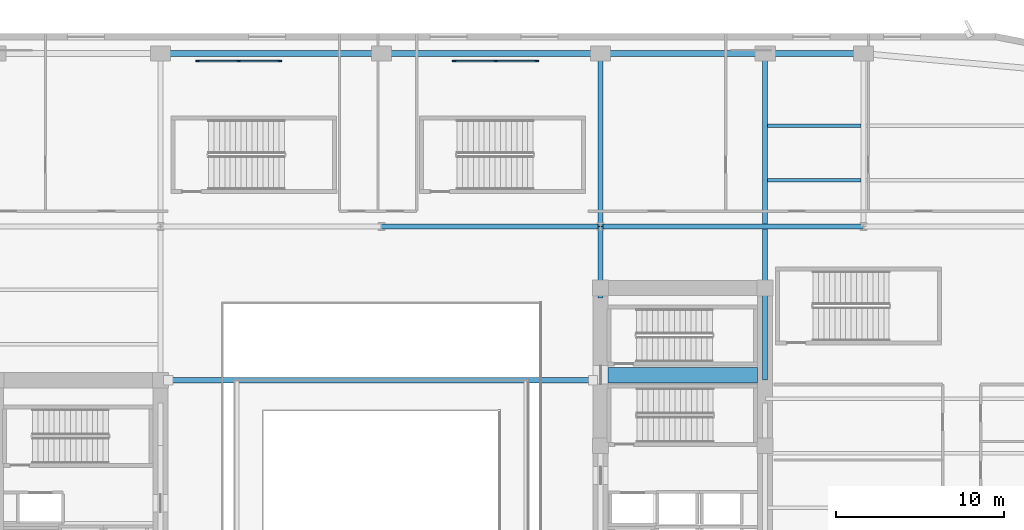
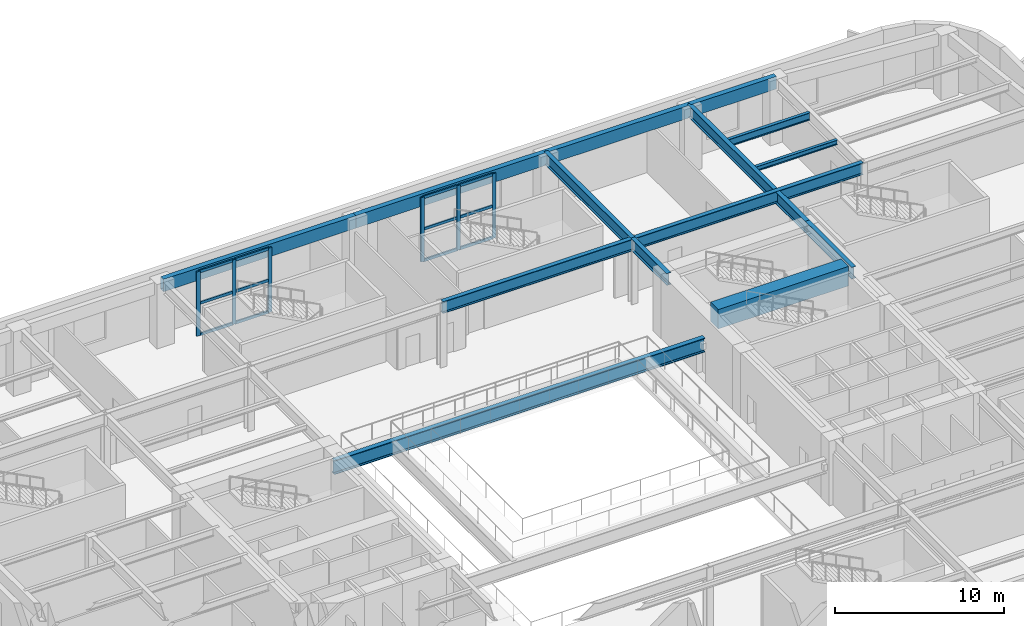
# One storey, part 3 of 21: 18 members, 15 beams, 2 elements without a shape of their own.
"""IFC4 building model written with IfcOpenShell, lengths in metres."""

from ifc_helpers import new_model, si_unit, direction, frame, origin, origin_2d, place, context, subcontext, project, spatial, rectangle, hollow_rectangle, i_section, extrude, material, material_profile, profile_set, type_object, element, aggregate, save


model = new_model("IFC4")

# Units and contexts
model_context = context("Model", 3, precision=1e-05, world=origin(), true_north=direction((0.0, 1.0)))
body_context = subcontext(model_context, "Body", "Model", "MODEL_VIEW")
ifc_project = project(units=[si_unit("LENGTHUNIT", "METRE"), si_unit("AREAUNIT", "SQUARE_METRE"), si_unit("VOLUMEUNIT", "CUBIC_METRE"), si_unit("PLANEANGLEUNIT", "RADIAN"), si_unit("MASSUNIT", "GRAM", prefix="KILO")], contexts=[model_context])

# Site, building, storey
site_placement = place(None, origin())
site = spatial("IfcSite", under=ifc_project, at=site_placement, CompositionType="ELEMENT")
building_placement = place(site_placement, origin())
building = spatial("IfcBuilding", under=site, at=building_placement, Name="Kolvaren Arena Tower", CompositionType="ELEMENT")
storey_placement = place(building_placement, frame((0.0, 0.0, 18.0)))
storey = spatial("IfcBuildingStorey", under=building, at=storey_placement, Name="L03", CompositionType="ELEMENT", Elevation=18.0)

# Beams
ifc_material_1 = material(Name="Steel CSA G40.21 350W", Category="steel")
ifc_material_profile_1 = material_profile(ifc_material_1, i_section(OverallWidth=0.2119140625, OverallDepth=0.54296875, WebThickness=0.01318359375, FlangeThickness=0.0244140625, FilletRadius=0.013916015625, at=origin_2d()), Name="W530x150")
ifc_profile_set_1 = profile_set([ifc_material_profile_1], Name="Steel CSA G40.21 350W")
beam_type_1 = type_object("IfcBeamType", Name="BEAM-F1", PredefinedType="BEAM", material=ifc_profile_set_1)
beam_1_placement = place(storey_placement, frame((60.49609375, 49.0, 4.37841796875), z_axis=(1.0, 0.0, 0.0), x_axis=(0.0, 1.0, 0.0)))
element("IfcBeam", 1, at=beam_1_placement, inside=storey, type_object=beam_type_1, Name="Composite Floor Beam (L03)", PredefinedType="BEAM", context=body_context, shape_type="SweptSolid", body=[
    extrude(i_section(OverallWidth=0.2119140625, OverallDepth=0.54296875, WebThickness=0.01318359375, FlangeThickness=0.0244140625, FilletRadius=0.013916015625, at=origin_2d()), origin(), (0.0, 0.0, 1.0), 5.557861328125),
])
ifc_material_2 = material(Name="Concrete 75 MPa", Category="concrete")
ifc_material_profile_2 = material_profile(ifc_material_2, rectangle(XDim=0.89990234375, YDim=1.39990234375, at=origin_2d()), Name="RC-900x1400")
ifc_profile_set_2 = profile_set([ifc_material_profile_2], Name="Concrete 75 MPa")
beam_type_2 = type_object("IfcBeamType", Name="CB-CORE-1", PredefinedType="BEAM", material=ifc_profile_set_2)
beam_2_placement = place(storey_placement, frame((51.0, 34.14990234375, 4.219970703125), z_axis=(1.0, 0.0, 0.0), x_axis=(0.0, 1.0, 0.0)))
element("IfcBeam", 2, at=beam_2_placement, inside=storey, type_object=beam_type_2, Name="East Core Coupling Beam (L03)", PredefinedType="BEAM", context=body_context, shape_type="SweptSolid", body=[
    extrude(rectangle(XDim=0.89990234375, YDim=1.39990234375, at=origin_2d()), origin(), (0.0, 0.0, 1.0), 8.89990234375),
])

# Curtain wall, members
ifc_material_3 = material(Name="Anodised aluminium unitised curtain wall", Category="aluminium")
curtain_wall_type = type_object("IfcCurtainWallType", Name="CW-SYS-02", PredefinedType="USERDEFINED", material=ifc_material_3)
curtain_wall_1_placement = place(storey_placement, origin())
curtain_wall_1 = element("IfcCurtainWall", 3, at=curtain_wall_1_placement, inside=storey, type_object=curtain_wall_type, Name="Arena Concourse Grand Portal Curtain Wall (L03)", ObjectType="UNITISED CURTAIN WALL", PredefinedType="USERDEFINED")
ifc_material_4 = material(Name="Anodised aluminium 6063-T6", Category="aluminium")
ifc_material_profile_3 = material_profile(ifc_material_4, rectangle(XDim=0.10009765625, YDim=0.239990234375, at=origin_2d()), Name="ALU-100x240")
ifc_profile_set_3 = profile_set([ifc_material_profile_3], Name="Anodised aluminium 6063-T6")
member_type_1 = type_object("IfcMemberType", Name="CWM-HVY", PredefinedType="MULLION", material=ifc_profile_set_3)
member_1_placement = place(storey_placement, frame((26.550048828125, 52.85009765625, 0.0), z_axis=(0.0, 0.0, 1.0), x_axis=(0.0, 1.0, 0.0)))
member_1 = element("IfcMember", 4, at=member_1_placement, type_object=member_type_1, Name="CW2 mullion 1", PredefinedType="MULLION", context=body_context, shape_type="SweptSolid", body=[
    extrude(rectangle(XDim=0.10009765625, YDim=0.239990234375, at=origin_2d()), origin(), (0.0, 0.0, 1.0), 4.64990234375),
])
member_2_placement = place(storey_placement, frame((29.0, 52.85009765625, 0.0), z_axis=(0.0, 0.0, 1.0), x_axis=(0.0, 1.0, 0.0)))
member_2 = element("IfcMember", 5, at=member_2_placement, type_object=member_type_1, Name="CW2 mullion 2", PredefinedType="MULLION", context=body_context, shape_type="SweptSolid", body=[
    extrude(rectangle(XDim=0.10009765625, YDim=0.239990234375, at=origin_2d()), origin(), (0.0, 0.0, 1.0), 4.64990234375),
])
member_3_placement = place(storey_placement, frame((31.449951171875, 52.85009765625, 0.0), z_axis=(0.0, 0.0, 1.0), x_axis=(0.0, 1.0, 0.0)))
member_3 = element("IfcMember", 6, at=member_3_placement, type_object=member_type_1, Name="CW2 mullion 3", PredefinedType="MULLION", context=body_context, shape_type="SweptSolid", body=[
    extrude(rectangle(XDim=0.10009765625, YDim=0.239990234375, at=origin_2d()), origin(), (0.0, 0.0, 1.0), 4.64990234375),
])

curtain_wall_2_placement = place(storey_placement, origin())
curtain_wall_2 = element("IfcCurtainWall", 7, at=curtain_wall_2_placement, inside=storey, type_object=curtain_wall_type, Name="Arena Concourse Grand Portal Curtain Wall (L03)", ObjectType="UNITISED CURTAIN WALL", PredefinedType="USERDEFINED")
member_4_placement = place(storey_placement, frame((41.85009765625, 52.85009765625, 0.0), z_axis=(0.0, 0.0, 1.0), x_axis=(0.0, 1.0, 0.0)))
member_4 = element("IfcMember", 8, at=member_4_placement, type_object=member_type_1, Name="CW2 mullion 1", PredefinedType="MULLION", context=body_context, shape_type="SweptSolid", body=[
    extrude(rectangle(XDim=0.10009765625, YDim=0.239990234375, at=origin_2d()), origin(), (0.0, 0.0, 1.0), 4.64990234375),
])
member_5_placement = place(storey_placement, frame((44.300048828125, 52.85009765625, 0.0), z_axis=(0.0, 0.0, 1.0), x_axis=(0.0, 1.0, 0.0)))
member_5 = element("IfcMember", 9, at=member_5_placement, type_object=member_type_1, Name="CW2 mullion 2", PredefinedType="MULLION", context=body_context, shape_type="SweptSolid", body=[
    extrude(rectangle(XDim=0.10009765625, YDim=0.239990234375, at=origin_2d()), origin(), (0.0, 0.0, 1.0), 4.64990234375),
])
member_6_placement = place(storey_placement, frame((46.75, 52.85009765625, 0.0), z_axis=(0.0, 0.0, 1.0), x_axis=(0.0, 1.0, 0.0)))
member_6 = element("IfcMember", 10, at=member_6_placement, type_object=member_type_1, Name="CW2 mullion 3", PredefinedType="MULLION", context=body_context, shape_type="SweptSolid", body=[
    extrude(rectangle(XDim=0.10009765625, YDim=0.239990234375, at=origin_2d()), origin(), (0.0, 0.0, 1.0), 4.64990234375),
])

# Member
ifc_material_profile_4 = material_profile(ifc_material_4, rectangle(XDim=0.10009765625, YDim=0.199951171875, at=origin_2d()), Name="ALU-100x200")
ifc_profile_set_4 = profile_set([ifc_material_profile_4], Name="Anodised aluminium 6063-T6")
member_type_2 = type_object("IfcMemberType", Name="CWT-HVY", PredefinedType="USERDEFINED", material=ifc_profile_set_4)
member_7_placement = place(storey_placement, frame((26.60009765625, 52.85009765625, 0.050048828125), z_axis=(1.0, 0.0, 0.0), x_axis=(0.0, 1.0, 0.0)))
member_7 = element("IfcMember", 11, at=member_7_placement, type_object=member_type_2, Name="CW2 transom 1.1", ObjectType="TRANSOM", PredefinedType="USERDEFINED", context=body_context, shape_type="SweptSolid", body=[
    extrude(rectangle(XDim=0.10009765625, YDim=0.199951171875, at=origin_2d()), origin(), (0.0, 0.0, 1.0), 2.349853515625),
])

member_8_placement = place(storey_placement, frame((26.60009765625, 52.85009765625, 2.324951171875), z_axis=(1.0, 0.0, 0.0), x_axis=(0.0, 1.0, 0.0)))
member_8 = element("IfcMember", 12, at=member_8_placement, type_object=member_type_2, Name="CW2 transom 1.2", ObjectType="TRANSOM", PredefinedType="USERDEFINED", context=body_context, shape_type="SweptSolid", body=[
    extrude(rectangle(XDim=0.10009765625, YDim=0.199951171875, at=origin_2d()), origin(), (0.0, 0.0, 1.0), 2.349853515625),
])

member_9_placement = place(storey_placement, frame((26.60009765625, 52.85009765625, 4.60009765625), z_axis=(1.0, 0.0, 0.0), x_axis=(0.0, 1.0, 0.0)))
member_9 = element("IfcMember", 13, at=member_9_placement, type_object=member_type_2, Name="CW2 transom 1.3", ObjectType="TRANSOM", PredefinedType="USERDEFINED", context=body_context, shape_type="SweptSolid", body=[
    extrude(rectangle(XDim=0.10009765625, YDim=0.199951171875, at=origin_2d()), origin(), (0.0, 0.0, 1.0), 2.349853515625),
])

member_10_placement = place(storey_placement, frame((29.050048828125, 52.85009765625, 0.050048828125), z_axis=(1.0, 0.0, 0.0), x_axis=(0.0, 1.0, 0.0)))
member_10 = element("IfcMember", 14, at=member_10_placement, type_object=member_type_2, Name="CW2 transom 2.1", ObjectType="TRANSOM", PredefinedType="USERDEFINED", context=body_context, shape_type="SweptSolid", body=[
    extrude(rectangle(XDim=0.10009765625, YDim=0.199951171875, at=origin_2d()), origin(), (0.0, 0.0, 1.0), 2.349853515625),
])

member_11_placement = place(storey_placement, frame((29.050048828125, 52.85009765625, 2.324951171875), z_axis=(1.0, 0.0, 0.0), x_axis=(0.0, 1.0, 0.0)))
member_11 = element("IfcMember", 15, at=member_11_placement, type_object=member_type_2, Name="CW2 transom 2.2", ObjectType="TRANSOM", PredefinedType="USERDEFINED", context=body_context, shape_type="SweptSolid", body=[
    extrude(rectangle(XDim=0.10009765625, YDim=0.199951171875, at=origin_2d()), origin(), (0.0, 0.0, 1.0), 2.349853515625),
])

member_12_placement = place(storey_placement, frame((29.050048828125, 52.85009765625, 4.60009765625), z_axis=(1.0, 0.0, 0.0), x_axis=(0.0, 1.0, 0.0)))
member_12 = element("IfcMember", 16, at=member_12_placement, type_object=member_type_2, Name="CW2 transom 2.3", ObjectType="TRANSOM", PredefinedType="USERDEFINED", context=body_context, shape_type="SweptSolid", body=[
    extrude(rectangle(XDim=0.10009765625, YDim=0.199951171875, at=origin_2d()), origin(), (0.0, 0.0, 1.0), 2.349853515625),
])

aggregate(curtain_wall_1, [member_1, member_2, member_3, member_7, member_8, member_9, member_10, member_11, member_12])

member_13_placement = place(storey_placement, frame((41.89990234375, 52.85009765625, 0.050048828125), z_axis=(1.0, 0.0, 0.0), x_axis=(0.0, 1.0, 0.0)))
member_13 = element("IfcMember", 17, at=member_13_placement, type_object=member_type_2, Name="CW2 transom 1.1", ObjectType="TRANSOM", PredefinedType="USERDEFINED", context=body_context, shape_type="SweptSolid", body=[
    extrude(rectangle(XDim=0.10009765625, YDim=0.199951171875, at=origin_2d()), origin(), (0.0, 0.0, 1.0), 2.35009765625),
])

member_14_placement = place(storey_placement, frame((41.89990234375, 52.85009765625, 2.324951171875), z_axis=(1.0, 0.0, 0.0), x_axis=(0.0, 1.0, 0.0)))
member_14 = element("IfcMember", 18, at=member_14_placement, type_object=member_type_2, Name="CW2 transom 1.2", ObjectType="TRANSOM", PredefinedType="USERDEFINED", context=body_context, shape_type="SweptSolid", body=[
    extrude(rectangle(XDim=0.10009765625, YDim=0.199951171875, at=origin_2d()), origin(), (0.0, 0.0, 1.0), 2.35009765625),
])

member_15_placement = place(storey_placement, frame((41.89990234375, 52.85009765625, 4.60009765625), z_axis=(1.0, 0.0, 0.0), x_axis=(0.0, 1.0, 0.0)))
member_15 = element("IfcMember", 19, at=member_15_placement, type_object=member_type_2, Name="CW2 transom 1.3", ObjectType="TRANSOM", PredefinedType="USERDEFINED", context=body_context, shape_type="SweptSolid", body=[
    extrude(rectangle(XDim=0.10009765625, YDim=0.199951171875, at=origin_2d()), origin(), (0.0, 0.0, 1.0), 2.35009765625),
])

member_16_placement = place(storey_placement, frame((44.35009765625, 52.85009765625, 0.050048828125), z_axis=(1.0, 0.0, 0.0), x_axis=(0.0, 1.0, 0.0)))
member_16 = element("IfcMember", 20, at=member_16_placement, type_object=member_type_2, Name="CW2 transom 2.1", ObjectType="TRANSOM", PredefinedType="USERDEFINED", context=body_context, shape_type="SweptSolid", body=[
    extrude(rectangle(XDim=0.10009765625, YDim=0.199951171875, at=origin_2d()), origin(), (0.0, 0.0, 1.0), 2.349853515625),
])

member_17_placement = place(storey_placement, frame((44.35009765625, 52.85009765625, 2.324951171875), z_axis=(1.0, 0.0, 0.0), x_axis=(0.0, 1.0, 0.0)))
member_17 = element("IfcMember", 21, at=member_17_placement, type_object=member_type_2, Name="CW2 transom 2.2", ObjectType="TRANSOM", PredefinedType="USERDEFINED", context=body_context, shape_type="SweptSolid", body=[
    extrude(rectangle(XDim=0.10009765625, YDim=0.199951171875, at=origin_2d()), origin(), (0.0, 0.0, 1.0), 2.349853515625),
])

member_18_placement = place(storey_placement, frame((44.35009765625, 52.85009765625, 4.60009765625), z_axis=(1.0, 0.0, 0.0), x_axis=(0.0, 1.0, 0.0)))
member_18 = element("IfcMember", 22, at=member_18_placement, type_object=member_type_2, Name="CW2 transom 2.3", ObjectType="TRANSOM", PredefinedType="USERDEFINED", context=body_context, shape_type="SweptSolid", body=[
    extrude(rectangle(XDim=0.10009765625, YDim=0.199951171875, at=origin_2d()), origin(), (0.0, 0.0, 1.0), 2.349853515625),
])

aggregate(curtain_wall_2, [member_4, member_5, member_6, member_13, member_14, member_15, member_16, member_17, member_18])

# Beams
ifc_material_profile_5 = material_profile(ifc_material_1, i_section(OverallWidth=0.2919921875, OverallDepth=0.85498046875, WebThickness=0.02099609375, FlangeThickness=0.03564453125, FilletRadius=0.01806640625, at=origin_2d()), Name="W840x299")
ifc_profile_set_5 = profile_set([ifc_material_profile_5], Name="Steel CSA G40.21 350W")
beam_type_3 = type_object("IfcBeamType", Name="GIRD-P1", PredefinedType="BEAM", material=ifc_profile_set_5)
beam_3_placement = place(storey_placement, frame((37.5, 43.0, 4.222412109375), z_axis=(1.0, 0.0, 0.0), x_axis=(0.0, 1.0, 0.0)))
element("IfcBeam", 23, at=beam_3_placement, inside=storey, type_object=beam_type_3, Name="Primary Floor Girder (L03)", PredefinedType="BEAM", context=body_context, shape_type="SweptSolid", body=[
    extrude(i_section(OverallWidth=0.2919921875, OverallDepth=0.85498046875, WebThickness=0.02099609375, FlangeThickness=0.03564453125, FilletRadius=0.01806640625, at=origin_2d()), origin(), (0.0, 0.0, 1.0), 13.050048828125),
])
beam_4_placement = place(storey_placement, frame((50.550048828125, 43.0, 4.222412109375), z_axis=(1.0, 0.0, 0.0), x_axis=(0.0, 1.0, 0.0)))
element("IfcBeam", 24, at=beam_4_placement, inside=storey, type_object=beam_type_3, Name="Primary Floor Girder (L03)", PredefinedType="BEAM", context=body_context, shape_type="SweptSolid", body=[
    extrude(i_section(OverallWidth=0.2919921875, OverallDepth=0.85498046875, WebThickness=0.02099609375, FlangeThickness=0.03564453125, FilletRadius=0.01806640625, at=origin_2d()), origin(), (0.0, 0.0, 1.0), 15.64990234375),
])
beam_5_placement = place(storey_placement, frame((50.550048828125, 38.760009765625, 4.222412109375), z_axis=(0.0, 1.0, 0.0), x_axis=(-1.0, 0.0, 0.0)))
element("IfcBeam", 25, at=beam_5_placement, inside=storey, type_object=beam_type_3, Name="Primary Floor Girder (L03)", PredefinedType="BEAM", context=body_context, shape_type="SweptSolid", body=[
    extrude(i_section(OverallWidth=0.2919921875, OverallDepth=0.85498046875, WebThickness=0.02099609375, FlangeThickness=0.03564453125, FilletRadius=0.01806640625, at=origin_2d()), origin(), (0.0, 0.0, 1.0), 4.239990234375),
])
beam_6_placement = place(storey_placement, frame((50.550048828125, 43.0, 4.222412109375), z_axis=(0.0, 1.0, 0.0), x_axis=(-1.0, 0.0, 0.0)))
element("IfcBeam", 26, at=beam_6_placement, inside=storey, type_object=beam_type_3, Name="Primary Floor Girder (L03)", PredefinedType="BEAM", context=body_context, shape_type="SweptSolid", body=[
    extrude(i_section(OverallWidth=0.2919921875, OverallDepth=0.85498046875, WebThickness=0.02099609375, FlangeThickness=0.03564453125, FilletRadius=0.01806640625, at=origin_2d()), origin(), (0.0, 0.0, 1.0), 10.300048828125),
])
beam_7_placement = place(storey_placement, frame((60.35009765625, 33.85009765625, 4.222412109375), z_axis=(0.0, 1.0, 0.0), x_axis=(-1.0, 0.0, 0.0)))
element("IfcBeam", 27, at=beam_7_placement, inside=storey, type_object=beam_type_3, Name="Primary Floor Girder (L03)", PredefinedType="BEAM", context=body_context, shape_type="SweptSolid", body=[
    extrude(i_section(OverallWidth=0.2919921875, OverallDepth=0.85498046875, WebThickness=0.02099609375, FlangeThickness=0.03564453125, FilletRadius=0.01806640625, at=origin_2d()), origin(), (0.0, 0.0, 1.0), 5.5),
])
beam_8_placement = place(storey_placement, frame((60.35009765625, 39.35009765625, 4.222412109375), z_axis=(0.0, 1.0, 0.0), x_axis=(-1.0, 0.0, 0.0)))
element("IfcBeam", 28, at=beam_8_placement, inside=storey, type_object=beam_type_3, Name="Primary Floor Girder (L03)", PredefinedType="BEAM", context=body_context, shape_type="SweptSolid", body=[
    extrude(i_section(OverallWidth=0.2919921875, OverallDepth=0.85498046875, WebThickness=0.02099609375, FlangeThickness=0.03564453125, FilletRadius=0.01806640625, at=origin_2d()), origin(), (0.0, 0.0, 1.0), 3.50390625),
])
beam_9_placement = place(storey_placement, frame((60.35009765625, 43.14599609375, 4.222412109375), z_axis=(0.0, 1.0, 0.0), x_axis=(-1.0, 0.0, 0.0)))
element("IfcBeam", 29, at=beam_9_placement, inside=storey, type_object=beam_type_3, Name="Primary Floor Girder (L03)", PredefinedType="BEAM", context=body_context, shape_type="SweptSolid", body=[
    extrude(i_section(OverallWidth=0.2919921875, OverallDepth=0.85498046875, WebThickness=0.02099609375, FlangeThickness=0.03564453125, FilletRadius=0.01806640625, at=origin_2d()), origin(), (0.0, 0.0, 1.0), 10.154052734375),
])
ifc_material_profile_6 = material_profile(ifc_material_1, i_section(OverallWidth=0.202880859375, OverallDepth=0.346923828125, WebThickness=0.0078125, FlangeThickness=0.013427734375, FilletRadius=0.010986328125, at=origin_2d()), Name="W360x64")
ifc_profile_set_6 = profile_set([ifc_material_profile_6], Name="Steel CSA G40.21 350W")
beam_type_4 = type_object("IfcBeamType", Name="JOIST-01", PredefinedType="JOIST", material=ifc_profile_set_6)
beam_10_placement = place(storey_placement, frame((60.49609375, 45.75, 4.4765625), z_axis=(1.0, 0.0, 0.0), x_axis=(0.0, 1.0, 0.0)))
element("IfcBeam", 30, at=beam_10_placement, inside=storey, type_object=beam_type_4, Name="Composite Floor Joist (L03)", PredefinedType="JOIST", context=body_context, shape_type="SweptSolid", body=[
    extrude(i_section(OverallWidth=0.202880859375, OverallDepth=0.346923828125, WebThickness=0.0078125, FlangeThickness=0.013427734375, FilletRadius=0.010986328125, at=origin_2d()), origin(), (0.0, 0.0, 1.0), 5.557861328125),
])
ifc_material_profile_7 = material_profile(ifc_material_1, i_section(OverallWidth=0.323974609375, OverallDepth=1.011962890625, WebThickness=0.02685546875, FlangeThickness=0.0458984375, FilletRadius=0.02197265625, at=origin_2d()), Name="W1000x443")
ifc_profile_set_7 = profile_set([ifc_material_profile_7], Name="Steel CSA G40.21 350W")
beam_type_5 = type_object("IfcBeamType", Name="RAKER-01", PredefinedType="USERDEFINED", material=ifc_profile_set_7)
beam_11_placement = place(storey_placement, frame((24.800048828125, 33.85009765625, 2.68408203125), z_axis=(1.0, 0.0, 0.0), x_axis=(0.0, 1.0, 0.0)))
element("IfcBeam", 31, at=beam_11_placement, inside=storey, type_object=beam_type_5, Name="Arena Bowl Raker Girder (L03 N)", ObjectType="RAKER GIRDER", PredefinedType="USERDEFINED", context=body_context, shape_type="SweptSolid", body=[
    extrude(i_section(OverallWidth=0.323974609375, OverallDepth=1.011962890625, WebThickness=0.02685546875, FlangeThickness=0.0458984375, FilletRadius=0.02197265625, at=origin_2d()), origin(), (0.0, 0.0, 1.0), 25.300048828125),
])
ifc_material_5 = material(Name="Steel CSA G40.21 350WT", Category="steel")
ifc_material_profile_8 = material_profile(ifc_material_5, hollow_rectangle(XDim=0.35009765625, YDim=0.89990234375, WallThickness=0.02001953125, at=origin_2d()), Name="HSS 900x350x20")
ifc_profile_set_8 = profile_set([ifc_material_profile_8], Name="Steel CSA G40.21 350WT")
beam_type_6 = type_object("IfcBeamType", Name="SPAND-01", PredefinedType="SPANDREL", material=ifc_profile_set_8)
beam_12_placement = place(storey_placement, frame((66.199951171875, 53.300048828125, 4.199951171875), z_axis=(-1.0, 0.0, 0.0), x_axis=(0.0, -1.0, 0.0)))
element("IfcBeam", 32, at=beam_12_placement, inside=storey, type_object=beam_type_6, Name="Perimeter Spandrel Beam (L03)", PredefinedType="SPANDREL", context=body_context, shape_type="SweptSolid", body=[
    extrude(hollow_rectangle(XDim=0.35009765625, YDim=0.89990234375, WallThickness=0.02001953125, at=origin_2d()), origin(), (0.0, 0.0, 1.0), 5.849853515625),
])
beam_13_placement = place(storey_placement, frame((60.35009765625, 53.300048828125, 4.199951171875), z_axis=(-1.0, 0.0, 0.0), x_axis=(0.0, -1.0, 0.0)))
element("IfcBeam", 33, at=beam_13_placement, inside=storey, type_object=beam_type_6, Name="Perimeter Spandrel Beam (L03)", PredefinedType="SPANDREL", context=body_context, shape_type="SweptSolid", body=[
    extrude(hollow_rectangle(XDim=0.35009765625, YDim=0.89990234375, WallThickness=0.02001953125, at=origin_2d()), origin(), (0.0, 0.0, 1.0), 9.800048828125),
])
beam_14_placement = place(storey_placement, frame((50.550048828125, 53.300048828125, 4.199951171875), z_axis=(-1.0, 0.0, 0.0), x_axis=(0.0, -1.0, 0.0)))
element("IfcBeam", 34, at=beam_14_placement, inside=storey, type_object=beam_type_6, Name="Perimeter Spandrel Beam (L03)", PredefinedType="SPANDREL", context=body_context, shape_type="SweptSolid", body=[
    extrude(hollow_rectangle(XDim=0.35009765625, YDim=0.89990234375, WallThickness=0.02001953125, at=origin_2d()), origin(), (0.0, 0.0, 1.0), 13.050048828125),
])
beam_15_placement = place(storey_placement, frame((37.5, 53.300048828125, 4.199951171875), z_axis=(-1.0, 0.0, 0.0), x_axis=(0.0, -1.0, 0.0)))
element("IfcBeam", 35, at=beam_15_placement, inside=storey, type_object=beam_type_6, Name="Perimeter Spandrel Beam (L03)", PredefinedType="SPANDREL", context=body_context, shape_type="SweptSolid", body=[
    extrude(hollow_rectangle(XDim=0.35009765625, YDim=0.89990234375, WallThickness=0.02001953125, at=origin_2d()), origin(), (0.0, 0.0, 1.0), 13.14990234375),
])

save(model, "model.ifc")
